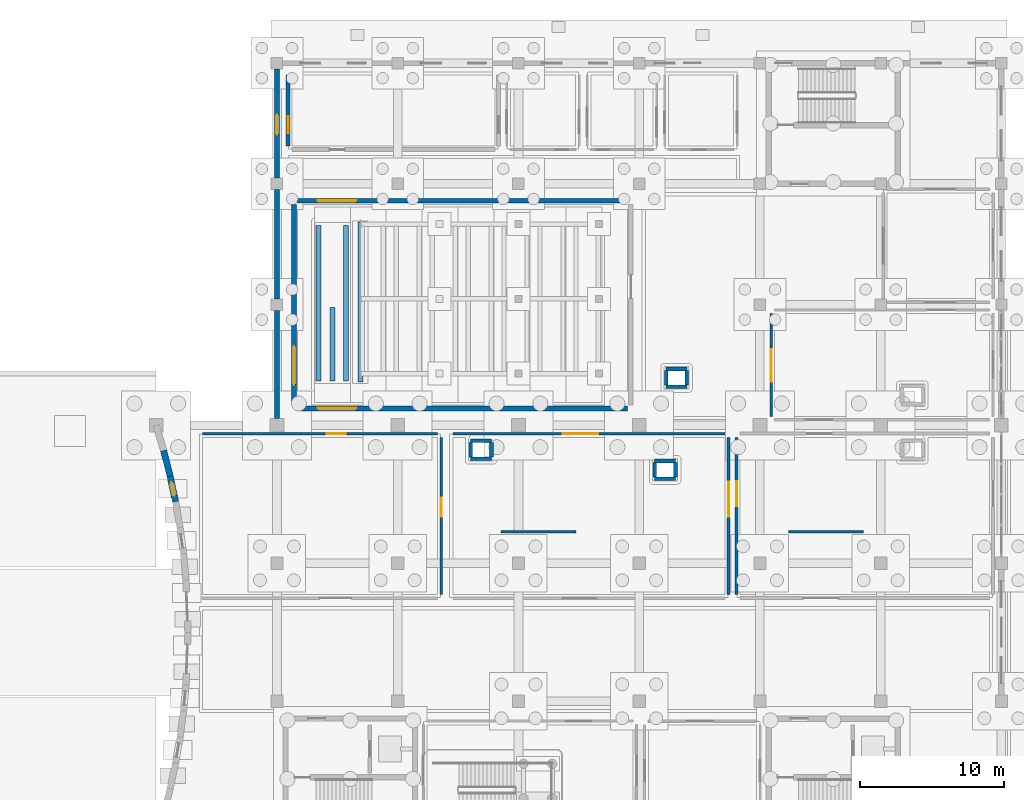
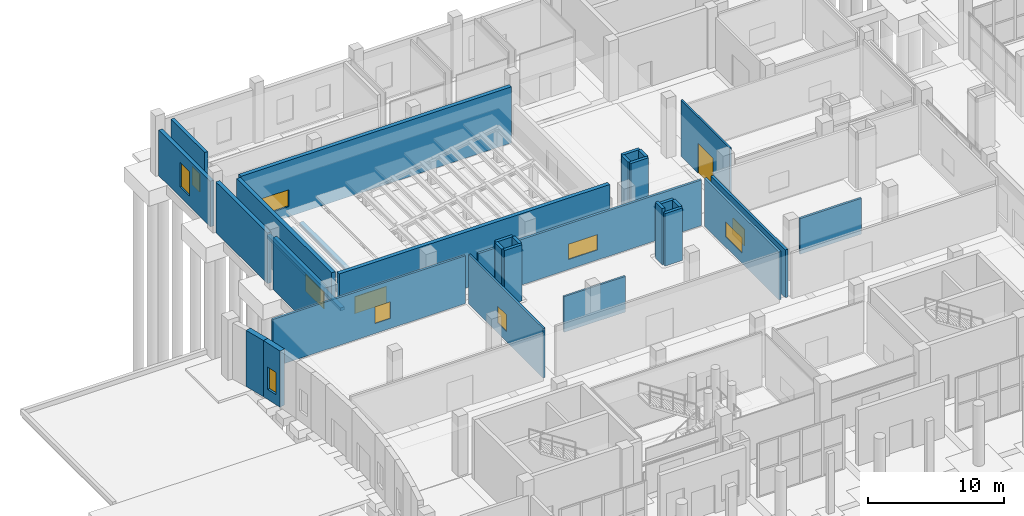
# One storey, part 40 of 65: 33 walls, 11 windows, 1 door, 12 openings.
"""IFC4 building model written with IfcOpenShell, lengths in metres."""

from ifc_helpers import new_model, si_unit, direction, frame, frame_2d, origin, place, context, subcontext, project, spatial, rectangle, extrude, material, layer, layer_set, type_object, element, fill, save


model = new_model("IFC4")

# Units and contexts
model_context = context("Model", 3, precision=1e-05, world=origin(), true_north=direction((0.0, 1.0)))
body_context = subcontext(model_context, "Body", "Model", "MODEL_VIEW")
ifc_project = project(units=[si_unit("LENGTHUNIT", "METRE"), si_unit("AREAUNIT", "SQUARE_METRE"), si_unit("VOLUMEUNIT", "CUBIC_METRE"), si_unit("PLANEANGLEUNIT", "RADIAN"), si_unit("MASSUNIT", "GRAM", prefix="KILO")], contexts=[model_context])

# Site, building, storey
site_placement = place(None, origin())
site = spatial("IfcSite", under=ifc_project, at=site_placement, CompositionType="ELEMENT")
building_placement = place(site_placement, origin())
building = spatial("IfcBuilding", under=site, at=building_placement, Name="Zulmaris Art Gallery", CompositionType="ELEMENT")
storey_placement = place(building_placement, origin())
storey = spatial("IfcBuildingStorey", under=building, at=storey_placement, Name="L00", CompositionType="ELEMENT", Elevation=0.0)

# Wall, opening, window
ifc_material_1 = material(Name="Omani Cream Limestone Ashlar Masonry", Category="masonry")
ifc_layer_1 = layer(ifc_material_1, 0.43994140625)
ifc_layer_set_1 = layer_set([ifc_layer_1], Name="Omani Cream Limestone Ashlar Masonry")
wall_type_1 = type_object("IfcWallType", Name="ENV-WALL-EW01", PredefinedType="SOLIDWALL", material=ifc_layer_set_1)
wall_1_placement = place(storey_placement, frame((25.34326171875, 45.085693359375, 0.0), z_axis=(0.0, 0.0, 1.0), x_axis=(-0.207941813813, 0.978141197409, 0.0)))
wall_1 = element("IfcWall", 1, at=wall_1_placement, inside=storey, type_object=wall_type_1, Name="L00 Concave Scooped Limestone Chord 14", PredefinedType="SOLIDWALL", context=body_context, shape_type="SweptSolid", body=[
    extrude(rectangle(XDim=1.828125, YDim=0.43994140625, at=frame_2d((0.9140625, 0.0))), origin(), (0.0, 0.0, 1.0), 5.0400390625),
])
opening_1_placement = place(wall_1_placement, frame((0.419921875, 0.0, 0.89990234375)))
opening_1 = element("IfcOpeningElement", 2, at=opening_1_placement, cuts=wall_1, Name="Opening W06", PredefinedType="OPENING", context=body_context, shape_type="SweptSolid", body=[
    extrude(rectangle(XDim=0.949951171875, YDim=2.0, at=frame_2d((0.47509765625, 1.0))), frame((0.0, 0.22998046875, 0.0), z_axis=(0.0, -1.0, 0.0), x_axis=(1.0, 0.0, 0.0)), (0.0, 0.0, 1.0), 0.4599609375),
])
ifc_material_2 = material(Name="Art Deco Stepped-Head Pier Window", Category="glass")
window_type_1 = type_object("IfcWindowType", Name="WIN-W06", PartitioningType="SINGLE_PANEL", PredefinedType="WINDOW", material=ifc_material_2)
window_1_placement = place(opening_1_placement, origin())
window_1 = element("IfcWindow", 3, at=window_1_placement, inside=storey, type_object=window_type_1, Name="L00 exterior window W06", OverallHeight=2.0, OverallWidth=0.949951171875, PartitioningType="SINGLE_PANEL", PredefinedType="WINDOW", context=body_context, shape_type="SweptSolid", body=[
    extrude(rectangle(XDim=0.949951171875, YDim=2.0, at=frame_2d((0.47509765625, 1.0))), frame((0.0, 0.030029296875, 0.0), z_axis=(0.0, -1.0, 0.0), x_axis=(1.0, 0.0, 0.0)), (0.0, 0.0, 1.0), 0.06005859375),
])
fill(opening_1, window_1)

# Walls
wall_2_placement = place(storey_placement, frame((24.963134765625, 46.873779296875, 0.0), z_axis=(0.0, 0.0, 1.0), x_axis=(-0.245080262371, 0.969502792671, 0.0)))
element("IfcWall", 4, at=wall_2_placement, inside=storey, type_object=wall_type_1, Name="L00 Concave Scooped Limestone Chord 15", PredefinedType="SOLIDWALL", context=body_context, shape_type="SweptSolid", body=[
    extrude(rectangle(XDim=1.827880859375, YDim=0.43994140625, at=frame_2d((0.9140625, 0.0))), origin(), (0.0, 0.0, 1.0), 5.0400390625),
])
ifc_material_3 = material(Name="Stucco-Rendered Acoustic Blockwork Wall", Category="masonry")
ifc_layer_2 = layer(ifc_material_3, 0.320068359375)
ifc_layer_set_2 = layer_set([ifc_layer_2], Name="Stucco-Rendered Acoustic Blockwork Wall")
wall_type_2 = type_object("IfcWallType", Name="ENV-WALL-EW04", PredefinedType="SOLIDWALL", material=ifc_layer_set_2)
wall_3_placement = place(storey_placement, frame((32.39990234375, 50.876953125, 0.0), z_axis=(0.0, 0.0, 1.0), x_axis=(0.0, 1.0, 0.0)))
element("IfcWall", 5, at=wall_3_placement, inside=storey, type_object=wall_type_2, Name="L00 V3 West Auditorium Wall", PredefinedType="SOLIDWALL", context=body_context, shape_type="SweptSolid", body=[
    extrude(rectangle(XDim=7.52099609375, YDim=0.320068359375, at=frame_2d((3.760498046875, 0.0))), origin(), (0.0, 0.0, 1.0), 4.64990234375),
])
wall_4_placement = place(storey_placement, frame((32.39990234375, 59.201904296875, 0.0), z_axis=(0.0, 0.0, 1.0), x_axis=(0.0, 1.0, 0.0)))
element("IfcWall", 6, at=wall_4_placement, inside=storey, type_object=wall_type_2, Name="L00 V3 West Auditorium Wall", PredefinedType="SOLIDWALL", context=body_context, shape_type="SweptSolid", body=[
    extrude(rectangle(XDim=7.59619140625, YDim=0.320068359375, at=frame_2d((3.798095703125, 0.0))), origin(), (0.0, 0.0, 1.0), 4.5400390625),
])

# Wall, opening, window
wall_5_placement = place(storey_placement, frame((32.39990234375, 67.60205078125, 0.0), z_axis=(0.0, 0.0, 1.0), x_axis=(0.0, 1.0, 0.0)))
wall_5 = element("IfcWall", 7, at=wall_5_placement, inside=storey, type_object=wall_type_2, Name="L00 V3 West Auditorium Wall", PredefinedType="SOLIDWALL", context=body_context, shape_type="SweptSolid", body=[
    extrude(rectangle(XDim=7.595947265625, YDim=0.320068359375, at=frame_2d((3.7978515625, 0.0))), origin(), (0.0, 0.0, 1.0), 4.090087890625),
])
opening_2_placement = place(wall_5_placement, frame((3.01806640625, 0.0, 0.89990234375)))
opening_2 = element("IfcOpeningElement", 8, at=opening_2_placement, cuts=wall_5, Name="Opening W04", PredefinedType="OPENING", context=body_context, shape_type="SweptSolid", body=[
    extrude(rectangle(XDim=1.39990234375, YDim=2.199951171875, at=frame_2d((0.699951171875, 1.10009765625))), frame((0.0, 0.169921875, 0.0), z_axis=(0.0, -1.0, 0.0), x_axis=(1.0, 0.0, 0.0)), (0.0, 0.0, 1.0), 0.340087890625),
])
ifc_material_4 = material(Name="Deep-Reveal Limestone Slot Window", Category="masonry")
window_type_2 = type_object("IfcWindowType", Name="WIN-W04", PartitioningType="SINGLE_PANEL", PredefinedType="WINDOW", material=ifc_material_4)
window_2_placement = place(opening_2_placement, origin())
window_2 = element("IfcWindow", 9, at=window_2_placement, inside=storey, type_object=window_type_2, Name="L00 exterior window W04", OverallHeight=2.199951171875, OverallWidth=1.39990234375, PartitioningType="SINGLE_PANEL", PredefinedType="WINDOW", context=body_context, shape_type="SweptSolid", body=[
    extrude(rectangle(XDim=1.39990234375, YDim=2.199951171875, at=frame_2d((0.699951171875, 1.10009765625))), frame((0.0, 0.030029296875, 0.0), z_axis=(0.0, -1.0, 0.0), x_axis=(1.0, 0.0, 0.0)), (0.0, 0.0, 1.0), 0.06005859375),
])
fill(opening_2, window_2)

# Walls
ifc_material_5 = material(Name="Demountable Timber-Clad Exhibition Wall A", Category="wood")
ifc_layer_3 = layer(ifc_material_5, 0.152099609375)
ifc_layer_set_3 = layer_set([ifc_layer_3], Name="Demountable Timber-Clad Exhibition Wall A")
wall_type_3 = type_object("IfcWallType", Name="IWALL-MW01", PredefinedType="MOVABLE", material=ifc_layer_set_3)
wall_6_placement = place(storey_placement, frame((48.0, 43.0, 0.0), z_axis=(0.0, 0.0, 1.0), x_axis=(1.0, 0.0, 0.0)))
element("IfcWall", 10, at=wall_6_placement, inside=storey, type_object=wall_type_3, Name="L00 Movable Gallery Display Wall 1", PredefinedType="MOVABLE", context=body_context, shape_type="SweptSolid", body=[
    extrude(rectangle(XDim=5.199951171875, YDim=0.152099609375, at=frame_2d((2.60009765625, 0.0))), origin(), (0.0, 0.0, 1.0), 3.199951171875),
])
ifc_material_6 = material(Name="Track-Hung Acoustic Gallery Display Wall B", Category="timber")
ifc_layer_4 = layer(ifc_material_6, 0.181884765625)
ifc_layer_set_4 = layer_set([ifc_layer_4], Name="Track-Hung Acoustic Gallery Display Wall B")
wall_type_4 = type_object("IfcWallType", Name="IWALL-MW02", PredefinedType="MOVABLE", material=ifc_layer_set_4)
wall_7_placement = place(storey_placement, frame((68.0, 43.0, 0.0), z_axis=(0.0, 0.0, 1.0), x_axis=(1.0, 0.0, 0.0)))
element("IfcWall", 11, at=wall_7_placement, inside=storey, type_object=wall_type_4, Name="L00 Movable Gallery Display Wall 2", PredefinedType="MOVABLE", context=body_context, shape_type="SweptSolid", body=[
    extrude(rectangle(XDim=5.199951171875, YDim=0.181884765625, at=frame_2d((2.60009765625, 0.0))), origin(), (0.0, 0.0, 1.0), 3.199951171875),
])

# Wall, opening, door
ifc_material_7 = material(Name="Timber-Backed Heavy Artwork Display Partition", Category="wood")
ifc_layer_5 = layer(ifc_material_7, 0.159912109375)
ifc_layer_set_5 = layer_set([ifc_layer_5], Name="Timber-Backed Heavy Artwork Display Partition")
wall_type_5 = type_object("IfcWallType", Name="IWALL-PW05", PredefinedType="PARTITIONING", material=ifc_layer_set_5)
wall_8_placement = place(storey_placement, frame((66.780029296875, 51.030029296875, 0.0), z_axis=(0.0, 0.0, 1.0), x_axis=(0.0, 1.0, 0.0)))
wall_8 = element("IfcWall", 12, at=wall_8_placement, inside=storey, type_object=wall_type_5, Name="Youth Art Learning Workshop W partition", PredefinedType="PARTITIONING", context=body_context, shape_type="SweptSolid", body=[
    extrude(rectangle(XDim=7.139892578125, YDim=0.159912109375, at=frame_2d((3.56982421875, 0.0))), origin(), (0.0, 0.0, 1.0), 5.0400390625),
])
opening_3_placement = place(wall_8_placement, frame((2.39990234375, 0.0, 0.0)))
opening_3 = element("IfcOpeningElement", 13, at=opening_3_placement, cuts=wall_8, Name="Opening D27", PredefinedType="OPENING", context=body_context, shape_type="SweptSolid", body=[
    extrude(rectangle(XDim=2.260009765625, YDim=2.679931640625, at=frame_2d((1.1298828125, 1.33984375))), frame((0.0, 0.08984375, 0.0), z_axis=(0.0, -1.0, 0.0), x_axis=(1.0, 0.0, 0.0)), (0.0, 0.0, 1.0), 0.179931640625),
])
ifc_material_8 = material(Name="Belvedere Gallery Double Portal", Category="aluminium")
door_type = type_object("IfcDoorType", Name="IDOOR-D27", OperationType="DOUBLE_SWING_LEFT", PredefinedType="DOOR", material=ifc_material_8)
door_placement = place(opening_3_placement, origin())
door = element("IfcDoor", 14, at=door_placement, inside=storey, type_object=door_type, Name="Youth Art Learning Workshop Door", OperationType="DOUBLE_SWING_LEFT", OverallHeight=2.679931640625, OverallWidth=2.260009765625, PredefinedType="DOOR", context=body_context, shape_type="SweptSolid", body=[
    extrude(rectangle(XDim=2.260009765625, YDim=2.679931640625, at=frame_2d((1.1298828125, 1.33984375))), frame((0.0, 0.02490234375, 0.0), z_axis=(0.0, -1.0, 0.0), x_axis=(1.0, 0.0, 0.0)), (0.0, 0.0, 1.0), 0.050048828125),
])
fill(opening_3, door)

# Wall, opening, window
ifc_material_9 = material(Name="Acoustic Studio Separation Partition", Category="gypsum")
ifc_layer_6 = layer(ifc_material_9, 0.175048828125)
ifc_layer_set_6 = layer_set([ifc_layer_6], Name="Acoustic Studio Separation Partition")
wall_type_6 = type_object("IfcWallType", Name="IWALL-PW06", PredefinedType="PARTITIONING", material=ifc_layer_set_6)
wall_9_placement = place(storey_placement, frame((27.22998046875, 49.820068359375, 0.0), z_axis=(0.0, 0.0, 1.0), x_axis=(1.0, 0.0, 0.0)))
wall_9 = element("IfcWall", 15, at=wall_9_placement, inside=storey, type_object=wall_type_6, Name="Cloakroom & Visitor Orientation N partition", PredefinedType="PARTITIONING", context=body_context, shape_type="SweptSolid", body=[
    extrude(rectangle(XDim=16.340087890625, YDim=0.175048828125, at=frame_2d((8.169921875, 0.0))), origin(), (0.0, 0.0, 1.0), 4.2900390625),
])
opening_4_placement = place(wall_9_placement, frame((8.64990234375, 0.0, 0.89990234375)))
opening_4 = element("IfcOpeningElement", 16, at=opening_4_placement, cuts=wall_9, Name="Opening IW04", PredefinedType="OPENING", context=body_context, shape_type="SweptSolid", body=[
    extrude(rectangle(XDim=1.320068359375, YDim=1.5, at=frame_2d((0.66015625, 0.75))), frame((0.0, 0.097412109375, 0.0), z_axis=(0.0, -1.0, 0.0), x_axis=(1.0, 0.0, 0.0)), (0.0, 0.0, 1.0), 0.195068359375),
])
ifc_material_10 = material(Name="Curatorial Study Vitrine Window", Category="glass")
window_type_3 = type_object("IfcWindowType", Name="IWIN-IW04", PartitioningType="SINGLE_PANEL", PredefinedType="WINDOW", material=ifc_material_10)
window_3_placement = place(opening_4_placement, origin())
window_3 = element("IfcWindow", 17, at=window_3_placement, inside=storey, type_object=window_type_3, Name="L00 interior observation window IW04", OverallHeight=1.5, OverallWidth=1.320068359375, PartitioningType="SINGLE_PANEL", PredefinedType="WINDOW", context=body_context, shape_type="SweptSolid", body=[
    extrude(rectangle(XDim=1.320068359375, YDim=1.5, at=frame_2d((0.66015625, 0.75))), frame((0.0, 0.030029296875, 0.0), z_axis=(0.0, -1.0, 0.0), x_axis=(1.0, 0.0, 0.0)), (0.0, 0.0, 1.0), 0.06005859375),
])
fill(opening_4, window_3)

wall_10_placement = place(storey_placement, frame((43.820068359375, 38.6298828125, 0.0), z_axis=(0.0, 0.0, 1.0), x_axis=(0.0, 1.0, 0.0)))
wall_10 = element("IfcWall", 18, at=wall_10_placement, inside=storey, type_object=wall_type_6, Name="Cloakroom & Visitor Orientation E partition", PredefinedType="PARTITIONING", context=body_context, shape_type="SweptSolid", body=[
    extrude(rectangle(XDim=10.940185546875, YDim=0.175048828125, at=frame_2d((5.47021484375, 0.0))), origin(), (0.0, 0.0, 1.0), 4.43994140625),
])
opening_5_placement = place(wall_10_placement, frame((5.39990234375, 0.0, 0.89990234375)))
opening_5 = element("IfcOpeningElement", 19, at=opening_5_placement, cuts=wall_10, Name="Opening IW04", PredefinedType="OPENING", context=body_context, shape_type="SweptSolid", body=[
    extrude(rectangle(XDim=1.320068359375, YDim=1.5, at=frame_2d((0.66015625, 0.75))), frame((0.0, 0.097412109375, 0.0), z_axis=(0.0, -1.0, 0.0), x_axis=(1.0, 0.0, 0.0)), (0.0, 0.0, 1.0), 0.195068359375),
])
window_4_placement = place(opening_5_placement, origin())
window_4 = element("IfcWindow", 20, at=window_4_placement, inside=storey, type_object=window_type_3, Name="L00 interior observation window IW04", OverallHeight=1.5, OverallWidth=1.320068359375, PartitioningType="SINGLE_PANEL", PredefinedType="WINDOW", context=body_context, shape_type="SweptSolid", body=[
    extrude(rectangle(XDim=1.320068359375, YDim=1.5, at=frame_2d((0.66015625, 0.75))), frame((0.0, 0.030029296875, 0.0), z_axis=(0.0, -1.0, 0.0), x_axis=(1.0, 0.0, 0.0)), (0.0, 0.0, 1.0), 0.06005859375),
])
fill(opening_5, window_4)

ifc_material_11 = material(Name="Conservation Laboratory Partition", Category="masonry")
ifc_layer_7 = layer(ifc_material_11, 0.18994140625)
ifc_layer_set_7 = layer_set([ifc_layer_7], Name="Conservation Laboratory Partition")
wall_type_7 = type_object("IfcWallType", Name="IWALL-PW07", PredefinedType="PARTITIONING", material=ifc_layer_set_7)
wall_11_placement = place(storey_placement, frame((44.6298828125, 49.820068359375, 0.0), z_axis=(0.0, 0.0, 1.0), x_axis=(1.0, 0.0, 0.0)))
wall_11 = element("IfcWall", 21, at=wall_11_placement, inside=storey, type_object=wall_type_7, Name="Omani Maritime & Antiquities Gallery N partition", PredefinedType="PARTITIONING", context=body_context, shape_type="SweptSolid", body=[
    extrude(rectangle(XDim=18.940185546875, YDim=0.18994140625, at=frame_2d((9.47021484375, 0.0))), origin(), (0.0, 0.0, 1.0), 4.090087890625),
])
opening_6_placement = place(wall_11_placement, frame((7.64990234375, 0.0, 0.89990234375)))
opening_6 = element("IfcOpeningElement", 22, at=opening_6_placement, cuts=wall_11, Name="Opening IW05", PredefinedType="OPENING", context=body_context, shape_type="SweptSolid", body=[
    extrude(rectangle(XDim=2.4599609375, YDim=1.3798828125, at=frame_2d((1.22998046875, 0.68994140625))), frame((0.0, 0.10498046875, 0.0), z_axis=(0.0, -1.0, 0.0), x_axis=(1.0, 0.0, 0.0)), (0.0, 0.0, 1.0), 0.2099609375),
])
ifc_material_12 = material(Name="Workshop Safety Observation Window", Category="glass")
window_type_4 = type_object("IfcWindowType", Name="IWIN-IW05", PartitioningType="SINGLE_PANEL", PredefinedType="WINDOW", material=ifc_material_12)
window_5_placement = place(opening_6_placement, origin())
window_5 = element("IfcWindow", 23, at=window_5_placement, inside=storey, type_object=window_type_4, Name="L00 interior observation window IW05", OverallHeight=1.3798828125, OverallWidth=2.4599609375, PartitioningType="SINGLE_PANEL", PredefinedType="WINDOW", context=body_context, shape_type="SweptSolid", body=[
    extrude(rectangle(XDim=2.4599609375, YDim=1.3798828125, at=frame_2d((1.22998046875, 0.68994140625))), frame((0.0, 0.030029296875, 0.0), z_axis=(0.0, -1.0, 0.0), x_axis=(1.0, 0.0, 0.0)), (0.0, 0.0, 1.0), 0.06005859375),
])
fill(opening_6, window_5)

wall_12_placement = place(storey_placement, frame((63.820068359375, 38.6298828125, 0.0), z_axis=(0.0, 0.0, 1.0), x_axis=(0.0, 1.0, 0.0)))
wall_12 = element("IfcWall", 24, at=wall_12_placement, inside=storey, type_object=wall_type_7, Name="Omani Maritime & Antiquities Gallery E partition", PredefinedType="PARTITIONING", context=body_context, shape_type="SweptSolid", body=[
    extrude(rectangle(XDim=10.940185546875, YDim=0.18994140625, at=frame_2d((5.47021484375, 0.0))), origin(), (0.0, 0.0, 1.0), 4.2900390625),
])
opening_7_placement = place(wall_12_placement, frame((5.39990234375, 0.0, 0.89990234375)))
opening_7 = element("IfcOpeningElement", 25, at=opening_7_placement, cuts=wall_12, Name="Opening IW05", PredefinedType="OPENING", context=body_context, shape_type="SweptSolid", body=[
    extrude(rectangle(XDim=2.4599609375, YDim=1.3798828125, at=frame_2d((1.22998046875, 0.68994140625))), frame((0.0, 0.10498046875, 0.0), z_axis=(0.0, -1.0, 0.0), x_axis=(1.0, 0.0, 0.0)), (0.0, 0.0, 1.0), 0.2099609375),
])
window_6_placement = place(opening_7_placement, origin())
window_6 = element("IfcWindow", 26, at=window_6_placement, inside=storey, type_object=window_type_4, Name="L00 interior observation window IW05", OverallHeight=1.3798828125, OverallWidth=2.4599609375, PartitioningType="SINGLE_PANEL", PredefinedType="WINDOW", context=body_context, shape_type="SweptSolid", body=[
    extrude(rectangle(XDim=2.4599609375, YDim=1.3798828125, at=frame_2d((1.22998046875, 0.68994140625))), frame((0.0, 0.030029296875, 0.0), z_axis=(0.0, -1.0, 0.0), x_axis=(1.0, 0.0, 0.0)), (0.0, 0.0, 1.0), 0.06005859375),
])
fill(opening_7, window_6)

ifc_material_13 = material(Name="Fire-Rated Corridor Compartment Wall", Category="masonry")
ifc_layer_8 = layer(ifc_material_13, 0.205078125)
ifc_layer_set_8 = layer_set([ifc_layer_8], Name="Fire-Rated Corridor Compartment Wall")
wall_type_8 = type_object("IfcWallType", Name="IWALL-PW08", PredefinedType="PARTITIONING", material=ifc_layer_set_8)
wall_13_placement = place(storey_placement, frame((64.3798828125, 38.6298828125, 0.0), z_axis=(0.0, 0.0, 1.0), x_axis=(0.0, 1.0, 0.0)))
wall_13 = element("IfcWall", 27, at=wall_13_placement, inside=storey, type_object=wall_type_8, Name="Introductory Exhibition Gallery W partition", PredefinedType="PARTITIONING", context=body_context, shape_type="SweptSolid", body=[
    extrude(rectangle(XDim=10.940185546875, YDim=0.205078125, at=frame_2d((5.47021484375, 0.0))), origin(), (0.0, 0.0, 1.0), 4.2900390625),
])
opening_8_placement = place(wall_13_placement, frame((6.14990234375, 0.0, 0.89990234375)))
opening_8 = element("IfcOpeningElement", 28, at=opening_8_placement, cuts=wall_13, Name="Opening IW06", PredefinedType="OPENING", context=body_context, shape_type="SweptSolid", body=[
    extrude(rectangle(XDim=1.719970703125, YDim=1.4599609375, at=frame_2d((0.85986328125, 0.72998046875))), frame((0.0, 0.112548828125, 0.0), z_axis=(0.0, -1.0, 0.0), x_axis=(1.0, 0.0, 0.0)), (0.0, 0.0, 1.0), 0.22509765625),
])
ifc_material_14 = material(Name="Library Reading Room Internal Glazing", Category="glass")
window_type_5 = type_object("IfcWindowType", Name="IWIN-IW06", PartitioningType="SINGLE_PANEL", PredefinedType="WINDOW", material=ifc_material_14)
window_7_placement = place(opening_8_placement, origin())
window_7 = element("IfcWindow", 29, at=window_7_placement, inside=storey, type_object=window_type_5, Name="L00 interior observation window IW06", OverallHeight=1.4599609375, OverallWidth=1.719970703125, PartitioningType="SINGLE_PANEL", PredefinedType="WINDOW", context=body_context, shape_type="SweptSolid", body=[
    extrude(rectangle(XDim=1.719970703125, YDim=1.4599609375, at=frame_2d((0.85986328125, 0.72998046875))), frame((0.0, 0.030029296875, 0.0), z_axis=(0.0, -1.0, 0.0), x_axis=(1.0, 0.0, 0.0)), (0.0, 0.0, 1.0), 0.06005859375),
])
fill(opening_8, window_7)

# Walls
ifc_material_15 = material(Name="MEP Riser & Smoke Shaft Enclosure Wall", Category="masonry")
ifc_layer_9 = layer(ifc_material_15, 0.2548828125)
ifc_layer_set_9 = layer_set([ifc_layer_9], Name="MEP Riser & Smoke Shaft Enclosure Wall")
wall_type_9 = type_object("IfcWallType", Name="IWALL-PW11", PredefinedType="PARTITIONING", material=ifc_layer_set_9)
for number, where, z_axis, x_axis, name in (
    (30, (45.860107421875, 49.320068359375, 0.0), (0.0, 0.0, 1.0), (1.0, 0.0, 0.0), "L00 MEP Riser 1 N wall"),
    (31, (45.860107421875, 48.080078125, 0.0), (0.0, 0.0, 1.0), (1.0, 0.0, 0.0), "L00 MEP Riser 1 S wall"),
):
    element("IfcWall", number, at=place(storey_placement, frame(where, z_axis=z_axis, x_axis=x_axis)), inside=storey, type_object=wall_type_9, Name=name, PredefinedType="PARTITIONING", context=body_context, shape_type="SweptSolid", body=[
        extrude(rectangle(XDim=1.47998046875, YDim=0.2548828125, at=frame_2d((0.739990234375, 0.0))), origin(), (0.0, 0.0, 1.0), 5.0400390625),
    ])
for number, where, z_axis, x_axis, name in (
    (32, (45.8798828125, 48.199951171875, 0.0), (0.0, 0.0, 1.0), (0.0, 1.0, 0.0), "L00 MEP Riser 1 W wall"),
    (33, (47.320068359375, 48.199951171875, 0.0), (0.0, 0.0, 1.0), (0.0, 1.0, 0.0), "L00 MEP Riser 1 E wall"),
):
    element("IfcWall", number, at=place(storey_placement, frame(where, z_axis=z_axis, x_axis=x_axis)), inside=storey, type_object=wall_type_9, Name=name, PredefinedType="PARTITIONING", context=body_context, shape_type="SweptSolid", body=[
        extrude(rectangle(XDim=1.0, YDim=0.2548828125, at=frame_2d((0.5, 0.0))), origin(), (0.0, 0.0, 1.0), 5.0400390625),
    ])
for number, where, z_axis, x_axis, name in (
    (34, (58.659912109375, 47.919921875, 0.0), (0.0, 0.0, 1.0), (1.0, 0.0, 0.0), "L00 MEP Riser 2 N wall"),
    (35, (58.659912109375, 46.679931640625, 0.0), (0.0, 0.0, 1.0), (1.0, 0.0, 0.0), "L00 MEP Riser 2 S wall"),
):
    element("IfcWall", number, at=place(storey_placement, frame(where, z_axis=z_axis, x_axis=x_axis)), inside=storey, type_object=wall_type_9, Name=name, PredefinedType="PARTITIONING", context=body_context, shape_type="SweptSolid", body=[
        extrude(rectangle(XDim=1.47998046875, YDim=0.2548828125, at=frame_2d((0.739990234375, 0.0))), origin(), (0.0, 0.0, 1.0), 4.7099609375),
    ])
wall_14_placement = place(storey_placement, frame((58.679931640625, 46.800048828125, 0.0), z_axis=(0.0, 0.0, 1.0), x_axis=(0.0, 1.0, 0.0)))
element("IfcWall", 36, at=wall_14_placement, inside=storey, type_object=wall_type_9, Name="L00 MEP Riser 2 W wall", PredefinedType="PARTITIONING", context=body_context, shape_type="SweptSolid", body=[
    extrude(rectangle(XDim=1.0, YDim=0.2548828125, at=frame_2d((0.5, 0.0))), origin(), (0.0, 0.0, 1.0), 5.0400390625),
])
wall_15_placement = place(storey_placement, frame((60.1201171875, 46.800048828125, 0.0), z_axis=(0.0, 0.0, 1.0), x_axis=(0.0, 1.0, 0.0)))
element("IfcWall", 37, at=wall_15_placement, inside=storey, type_object=wall_type_9, Name="L00 MEP Riser 2 E wall", PredefinedType="PARTITIONING", context=body_context, shape_type="SweptSolid", body=[
    extrude(rectangle(XDim=1.0, YDim=0.2548828125, at=frame_2d((0.5, 0.0))), origin(), (0.0, 0.0, 1.0), 4.7099609375),
])
for number, where, z_axis, x_axis, name in (
    (38, (59.4599609375, 54.320068359375, 0.0), (0.0, 0.0, 1.0), (1.0, 0.0, 0.0), "L00 MEP Riser 7 N wall"),
    (39, (59.4599609375, 53.080078125, 0.0), (0.0, 0.0, 1.0), (1.0, 0.0, 0.0), "L00 MEP Riser 7 S wall"),
):
    element("IfcWall", number, at=place(storey_placement, frame(where, z_axis=z_axis, x_axis=x_axis)), inside=storey, type_object=wall_type_9, Name=name, PredefinedType="PARTITIONING", context=body_context, shape_type="SweptSolid", body=[
        extrude(rectangle(XDim=1.47998046875, YDim=0.2548828125, at=frame_2d((0.739990234375, 0.0))), origin(), (0.0, 0.0, 1.0), 5.0400390625),
    ])
for number, where, z_axis, x_axis, name in (
    (40, (59.47998046875, 53.199951171875, 0.0), (0.0, 0.0, 1.0), (0.0, 1.0, 0.0), "L00 MEP Riser 7 W wall"),
    (41, (60.919921875, 53.199951171875, 0.0), (0.0, 0.0, 1.0), (0.0, 1.0, 0.0), "L00 MEP Riser 7 E wall"),
):
    element("IfcWall", number, at=place(storey_placement, frame(where, z_axis=z_axis, x_axis=x_axis)), inside=storey, type_object=wall_type_9, Name=name, PredefinedType="PARTITIONING", context=body_context, shape_type="SweptSolid", body=[
        extrude(rectangle(XDim=1.0, YDim=0.2548828125, at=frame_2d((0.5, 0.0))), origin(), (0.0, 0.0, 1.0), 5.0400390625),
    ])

# Wall, opening, window
ifc_material_16 = material(Name="Plant & Substation Acoustic Blockwork Wall", Category="masonry")
ifc_layer_10 = layer(ifc_material_16, 0.27001953125)
ifc_layer_set_10 = layer_set([ifc_layer_10], Name="Plant & Substation Acoustic Blockwork Wall")
wall_type_10 = type_object("IfcWallType", Name="IWALL-PW12", PredefinedType="PARTITIONING", material=ifc_layer_set_10)
wall_16_placement = place(storey_placement, frame((33.179931640625, 69.830078125, 0.0), z_axis=(0.0, 0.0, 1.0), x_axis=(0.0, 1.0, 0.0)))
wall_16 = element("IfcWall", 42, at=wall_16_placement, inside=storey, type_object=wall_type_10, Name="Green Room & Performers Lounge W partition", PredefinedType="PARTITIONING", context=body_context, shape_type="SweptSolid", body=[
    extrude(rectangle(XDim=4.93994140625, YDim=0.27001953125, at=frame_2d((2.469970703125, 0.0))), origin(), (0.0, 0.0, 1.0), 5.0400390625),
])
opening_9_placement = place(wall_16_placement, frame((0.89990234375, 0.0, 0.89990234375)))
opening_9 = element("IfcOpeningElement", 43, at=opening_9_placement, cuts=wall_16, Name="Opening IW08", PredefinedType="OPENING", context=body_context, shape_type="SweptSolid", body=[
    extrude(rectangle(XDim=1.159912109375, YDim=1.6201171875, at=frame_2d((0.580078125, 0.81005859375))), frame((0.0, 0.14501953125, 0.0), z_axis=(0.0, -1.0, 0.0), x_axis=(1.0, 0.0, 0.0)), (0.0, 0.0, 1.0), 0.2900390625),
])
ifc_material_17 = material(Name="Foyer Cloakroom Counter Glazing", Category="glass")
window_type_6 = type_object("IfcWindowType", Name="IWIN-IW08", PartitioningType="SINGLE_PANEL", PredefinedType="WINDOW", material=ifc_material_17)
window_8_placement = place(opening_9_placement, origin())
window_8 = element("IfcWindow", 44, at=window_8_placement, inside=storey, type_object=window_type_6, Name="L00 interior observation window IW08", OverallHeight=1.6201171875, OverallWidth=1.159912109375, PartitioningType="SINGLE_PANEL", PredefinedType="WINDOW", context=body_context, shape_type="SweptSolid", body=[
    extrude(rectangle(XDim=1.159912109375, YDim=1.6201171875, at=frame_2d((0.580078125, 0.81005859375))), frame((0.0, 0.030029296875, 0.0), z_axis=(0.0, -1.0, 0.0), x_axis=(1.0, 0.0, 0.0)), (0.0, 0.0, 1.0), 0.06005859375),
])
fill(opening_9, window_8)

ifc_material_18 = material(Name="Auditorium Double-Leaf Acoustic Isolation Wall", Category="masonry")
ifc_layer_11 = layer(ifc_material_18, 0.330078125)
ifc_layer_set_11 = layer_set([ifc_layer_11], Name="Auditorium Double-Leaf Acoustic Isolation Wall")
wall_type_11 = type_object("IfcWallType", Name="IWALL-PW14", PredefinedType="PARTITIONING", material=ifc_layer_set_11)
wall_17_placement = place(storey_placement, frame((33.830078125, 51.580078125, 0.0), z_axis=(0.0, 0.0, 1.0), x_axis=(1.0, 0.0, 0.0)))
wall_17 = element("IfcWall", 45, at=wall_17_placement, inside=storey, type_object=wall_type_11, Name="320-Seat Lecture Auditorium S partition", PredefinedType="PARTITIONING", context=body_context, shape_type="SweptSolid", body=[
    extrude(rectangle(XDim=22.93994140625, YDim=0.330078125, at=frame_2d((11.469970703125, 0.0))), origin(), (0.0, 0.0, 1.0), 5.0400390625),
])
opening_10_placement = place(wall_17_placement, frame((1.39990234375, 0.0, 0.89990234375)))
opening_10 = element("IfcOpeningElement", 46, at=opening_10_placement, cuts=wall_17, Name="Opening IW07", PredefinedType="OPENING", context=body_context, shape_type="SweptSolid", body=[
    extrude(rectangle(XDim=2.679931640625, YDim=1.52001953125, at=frame_2d((1.33984375, 0.760009765625))), frame((0.0, 0.175048828125, 0.0), z_axis=(0.0, -1.0, 0.0), x_axis=(1.0, 0.0, 0.0)), (0.0, 0.0, 1.0), 0.35009765625),
])
ifc_material_19 = material(Name="Artists Salon Overlook Glazing", Category="glass")
window_type_7 = type_object("IfcWindowType", Name="IWIN-IW07", PartitioningType="SINGLE_PANEL", PredefinedType="WINDOW", material=ifc_material_19)
window_9_placement = place(opening_10_placement, origin())
window_9 = element("IfcWindow", 47, at=window_9_placement, inside=storey, type_object=window_type_7, Name="L00 interior observation window IW07", OverallHeight=1.52001953125, OverallWidth=2.679931640625, PartitioningType="SINGLE_PANEL", PredefinedType="WINDOW", context=body_context, shape_type="SweptSolid", body=[
    extrude(rectangle(XDim=2.679931640625, YDim=1.52001953125, at=frame_2d((1.33984375, 0.760009765625))), frame((0.0, 0.030029296875, 0.0), z_axis=(0.0, -1.0, 0.0), x_axis=(1.0, 0.0, 0.0)), (0.0, 0.0, 1.0), 0.06005859375),
])
fill(opening_10, window_9)

wall_18_placement = place(storey_placement, frame((33.830078125, 66.02001953125, 0.0), z_axis=(0.0, 0.0, 1.0), x_axis=(1.0, 0.0, 0.0)))
wall_18 = element("IfcWall", 48, at=wall_18_placement, inside=storey, type_object=wall_type_11, Name="320-Seat Lecture Auditorium N partition", PredefinedType="PARTITIONING", context=body_context, shape_type="SweptSolid", body=[
    extrude(rectangle(XDim=22.93994140625, YDim=0.330078125, at=frame_2d((11.469970703125, 0.0))), origin(), (0.0, 0.0, 1.0), 5.0400390625),
])
opening_11_placement = place(wall_18_placement, frame((1.39990234375, 0.0, 0.89990234375)))
opening_11 = element("IfcOpeningElement", 49, at=opening_11_placement, cuts=wall_18, Name="Opening IW07", PredefinedType="OPENING", context=body_context, shape_type="SweptSolid", body=[
    extrude(rectangle(XDim=2.679931640625, YDim=1.52001953125, at=frame_2d((1.33984375, 0.760009765625))), frame((0.0, 0.175048828125, 0.0), z_axis=(0.0, -1.0, 0.0), x_axis=(1.0, 0.0, 0.0)), (0.0, 0.0, 1.0), 0.35009765625),
])
window_10_placement = place(opening_11_placement, origin())
window_10 = element("IfcWindow", 50, at=window_10_placement, inside=storey, type_object=window_type_7, Name="L00 interior observation window IW07", OverallHeight=1.52001953125, OverallWidth=2.679931640625, PartitioningType="SINGLE_PANEL", PredefinedType="WINDOW", context=body_context, shape_type="SweptSolid", body=[
    extrude(rectangle(XDim=2.679931640625, YDim=1.52001953125, at=frame_2d((1.33984375, 0.760009765625))), frame((0.0, 0.030029296875, 0.0), z_axis=(0.0, -1.0, 0.0), x_axis=(1.0, 0.0, 0.0)), (0.0, 0.0, 1.0), 0.06005859375),
])
fill(opening_11, window_10)

wall_19_placement = place(storey_placement, frame((33.580078125, 51.830078125, 0.0), z_axis=(0.0, 0.0, 1.0), x_axis=(0.0, 1.0, 0.0)))
wall_19 = element("IfcWall", 51, at=wall_19_placement, inside=storey, type_object=wall_type_11, Name="320-Seat Lecture Auditorium W partition", PredefinedType="PARTITIONING", context=body_context, shape_type="SweptSolid", body=[
    extrude(rectangle(XDim=13.93994140625, YDim=0.330078125, at=frame_2d((6.969970703125, 0.0))), origin(), (0.0, 0.0, 1.0), 5.0400390625),
])
opening_12_placement = place(wall_19_placement, frame((1.39990234375, 0.0, 0.89990234375)))
opening_12 = element("IfcOpeningElement", 52, at=opening_12_placement, cuts=wall_19, Name="Opening IW07", PredefinedType="OPENING", context=body_context, shape_type="SweptSolid", body=[
    extrude(rectangle(XDim=2.679931640625, YDim=1.52001953125, at=frame_2d((1.33984375, 0.760009765625))), frame((0.0, 0.175048828125, 0.0), z_axis=(0.0, -1.0, 0.0), x_axis=(1.0, 0.0, 0.0)), (0.0, 0.0, 1.0), 0.35009765625),
])
window_11_placement = place(opening_12_placement, origin())
window_11 = element("IfcWindow", 53, at=window_11_placement, inside=storey, type_object=window_type_7, Name="L00 interior observation window IW07", OverallHeight=1.52001953125, OverallWidth=2.679931640625, PartitioningType="SINGLE_PANEL", PredefinedType="WINDOW", context=body_context, shape_type="SweptSolid", body=[
    extrude(rectangle(XDim=2.679931640625, YDim=1.52001953125, at=frame_2d((1.33984375, 0.760009765625))), frame((0.0, 0.030029296875, 0.0), z_axis=(0.0, -1.0, 0.0), x_axis=(1.0, 0.0, 0.0)), (0.0, 0.0, 1.0), 0.06005859375),
])
fill(opening_12, window_11)

# Walls
ifc_material_20 = material(Name="Concrete C50/60", Category="concrete")
ifc_layer_12 = layer(ifc_material_20, 0.35009765625)
ifc_layer_set_12 = layer_set([ifc_layer_12], Name="Concrete C50/60")
wall_type_12 = type_object("IfcWallType", Name="STR-WALL-SW01", PredefinedType="SHEAR", material=ifc_layer_set_12)
wall_20_placement = place(storey_placement, frame((35.300048828125, 53.5, 0.0), z_axis=(0.0, 0.0, 1.0), x_axis=(0.0, 1.0, 0.0)))
element("IfcWall", 54, at=wall_20_placement, inside=storey, type_object=wall_type_12, Name="Auditorium tier 1 structural riser wall 1", PredefinedType="SHEAR", context=body_context, shape_type="SweptSolid", body=[
    extrude(rectangle(XDim=10.800048828125, YDim=0.35009765625, at=frame_2d((5.39990234375, 0.0))), origin(), (0.0, 0.0, 1.0), 0.27001953125),
])
wall_21_placement = place(storey_placement, frame((36.25, 53.5, 0.0), z_axis=(0.0, 0.0, 1.0), x_axis=(0.0, 1.0, 0.0)))
element("IfcWall", 55, at=wall_21_placement, inside=storey, type_object=wall_type_12, Name="Auditorium tier 1 structural riser wall 2", PredefinedType="SHEAR", context=body_context, shape_type="SweptSolid", body=[
    extrude(rectangle(XDim=5.10009765625, YDim=0.35009765625, at=frame_2d((2.550048828125, 0.0))), origin(), (0.0, 0.0, 1.0), 0.27001953125),
])
wall_22_placement = place(storey_placement, frame((37.199951171875, 53.5, 0.0), z_axis=(0.0, 0.0, 1.0), x_axis=(0.0, 1.0, 0.0)))
element("IfcWall", 56, at=wall_22_placement, inside=storey, type_object=wall_type_12, Name="Auditorium tier 1 structural riser wall 3", PredefinedType="SHEAR", context=body_context, shape_type="SweptSolid", body=[
    extrude(rectangle(XDim=10.800048828125, YDim=0.35009765625, at=frame_2d((5.39990234375, 0.0))), origin(), (0.0, 0.0, 1.0), 0.27001953125),
])
wall_23_placement = place(storey_placement, frame((38.199951171875, 53.39990234375, 0.0), z_axis=(0.0, 0.0, 1.0), x_axis=(0.0, 1.0, 0.0)))
element("IfcWall", 57, at=wall_23_placement, inside=storey, type_object=wall_type_12, Name="Auditorium front raker bearing plinth wall", PredefinedType="SHEAR", context=body_context, shape_type="SweptSolid", body=[
    extrude(rectangle(XDim=11.150146484375, YDim=0.35009765625, at=frame_2d((5.5751953125, 0.0))), origin(), (0.0, 0.0, 1.0), 0.239990234375),
])

save(model, "model.ifc")
